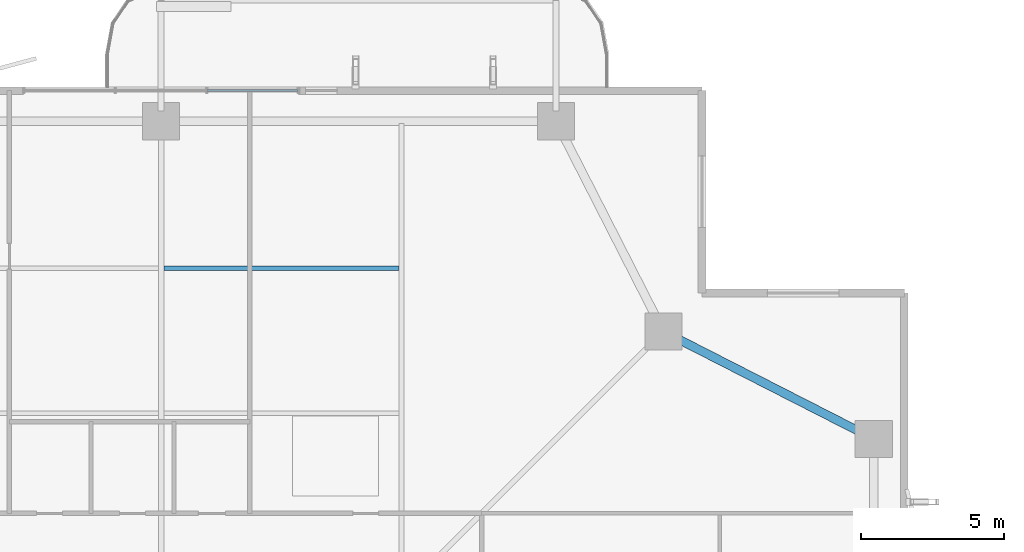
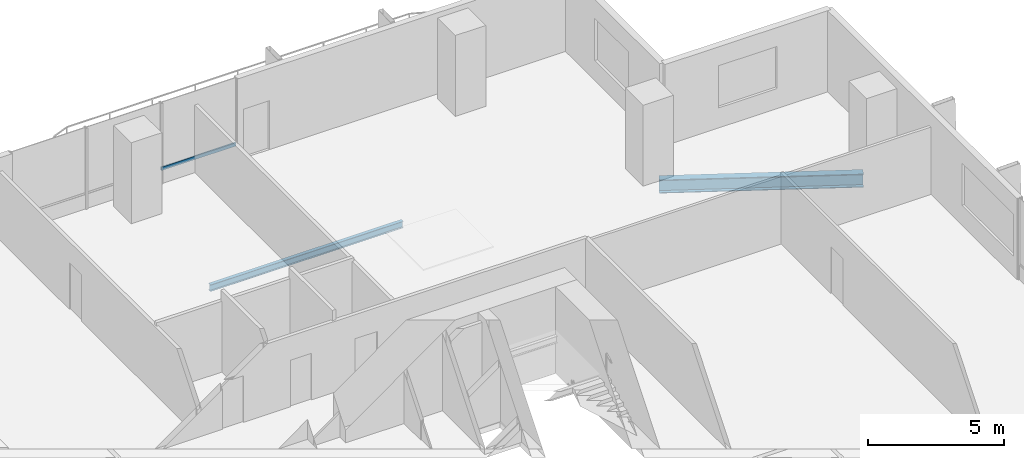
# One storey, part 14 of 23: 2 beams, 1 member, 1 element without a shape of its own.
"""IFC4 building model written with IfcOpenShell, lengths in metres."""

import ifcopenshell
import ifcopenshell.guid

model = None  # the IFC model being written
_history = None  # IfcOwnerHistory: only IFC2X3 demands one
_inside = {}  # id of a spatial element -> (the spatial element, [elements in it])
_under = {}  # id of a project, library or spatial element -> (it, [spatial elements below it])
_declared = {}  # id of a project -> (the project, [libraries it declares])
_typed = {}  # id of a type object -> (the type object, [elements of that type])
_made_of = {}  # id of a material, layer set ... -> (it, [elements and type objects made of it])


def new_model(schema):
    """Start an empty IFC model of exactly this schema.

    Asked for "IFC4X3", IfcOpenShell would pick the latest addendum, in which some entities
    have other attributes; the version numbers below select the first issue.
    IFC2X3 requires an IfcOwnerHistory on every rooted entity: one is made here for all.
    """
    global model, _history
    if schema == "IFC4X3":
        model = ifcopenshell.file(schema_version=(4, 3, 0, 0))
    else:
        model = ifcopenshell.file(schema=schema)
    _inside.clear()
    _under.clear()
    _declared.clear()
    _typed.clear()
    _made_of.clear()
    _history = None
    if model.schema == "IFC2X3":
        org = make("IfcOrganization", Name="unknown")
        user = make(
            "IfcPersonAndOrganization",
            ThePerson=make("IfcPerson", FamilyName="unknown"),
            TheOrganization=org,
        )
        app = make(
            "IfcApplication",
            ApplicationDeveloper=org,
            Version="unknown",
            ApplicationFullName="unknown",
            ApplicationIdentifier="unknown",
        )
        _history = make(
            "IfcOwnerHistory",
            OwningUser=user,
            OwningApplication=app,
            ChangeAction="ADDED",
            CreationDate=0,
        )
    return model


def make(cls, **values):
    """One entity of the class cls with the attributes given. An attribute that is None is left unset."""
    return model.create_entity(
        cls, **{name: value for name, value in values.items() if value is not None}
    )


def rooted(cls, **values):
    """An entity with a GlobalId (a new one), such as an element, a storey or a relation."""
    return make(cls, GlobalId=ifcopenshell.guid.new(), OwnerHistory=_history, **values)


def si_unit(unit_type, name, prefix=None):
    """IfcSIUnit, for example si_unit("LENGTHUNIT", "METRE", prefix="MILLI")."""
    return make("IfcSIUnit", UnitType=unit_type, Prefix=prefix, Name=name)


def assignment(units):
    """IfcUnitAssignment: the units of a project."""
    return None if units is None else make("IfcUnitAssignment", Units=units)


def point(xyz):
    """IfcCartesianPoint."""
    return None if xyz is None else make("IfcCartesianPoint", Coordinates=xyz)


def direction(xyz):
    """IfcDirection."""
    return None if xyz is None else make("IfcDirection", DirectionRatios=xyz)


def frame(location, z_axis=None, x_axis=None):
    """IfcAxis2Placement3D, a coordinate frame: its origin and axes. An axis left out is left unset."""
    return make(
        "IfcAxis2Placement3D",
        Location=point(location),
        Axis=direction(z_axis),
        RefDirection=direction(x_axis),
    )


def frame_2d(location, x_axis=None):
    """IfcAxis2Placement2D, a coordinate frame in the plane: its origin and x axis."""
    return make(
        "IfcAxis2Placement2D", Location=point(location), RefDirection=direction(x_axis)
    )


def origin():
    """The frame at (0, 0, 0) with its axes left unset."""
    return frame((0.0, 0.0, 0.0))


def origin_2d():
    """The frame at (0, 0) in the plane with its x axis left unset."""
    return frame_2d((0.0, 0.0))


def place(relative_to, where):
    """IfcLocalPlacement: puts the frame where relative to a parent placement (None: the world)."""
    return make(
        "IfcLocalPlacement", PlacementRelTo=relative_to, RelativePlacement=where
    )


def context(
    kind, dimensions, precision=None, world=None, true_north=None, identifier=None
):
    """IfcGeometricRepresentationContext, for example the 3D "Model" context."""
    return make(
        "IfcGeometricRepresentationContext",
        ContextIdentifier=identifier,
        ContextType=kind,
        CoordinateSpaceDimension=dimensions,
        Precision=precision,
        WorldCoordinateSystem=world,
        TrueNorth=true_north,
    )


def subcontext(parent, identifier, kind, view, scale=None):
    """IfcGeometricRepresentationSubContext, for example "Body" below "Model"."""
    return make(
        "IfcGeometricRepresentationSubContext",
        ContextIdentifier=identifier,
        ContextType=kind,
        ParentContext=parent,
        TargetScale=scale,
        TargetView=view,
    )


def project(units=None, contexts=None):
    """IfcProject with its units and contexts."""
    return rooted(
        "IfcProject",
        Name="project",
        RepresentationContexts=contexts,
        UnitsInContext=assignment(units),
    )


def spatial(cls, under=None, at=None, **own):
    """A site, building, storey or space (cls), placed at a placement, below another one or the project."""
    s = rooted(cls, ObjectPlacement=at, **own)
    if under is not None:
        _under.setdefault(under.id(), (under, []))[1].append(s)
    return s


def profile(cls, at=None, kind="AREA", **sizes):
    """A parametric profile (cls). Its sizes go by their IFC names, for example OverallWidth=200.0."""
    return make(cls, ProfileType=kind, Position=at, **sizes)


def hollow_rectangle(**sizes):
    """IfcRectangleHollowProfileDef."""
    return profile("IfcRectangleHollowProfileDef", **sizes)


def i_section(**sizes):
    """IfcIShapeProfileDef."""
    return profile("IfcIShapeProfileDef", **sizes)


def extrude(swept, where, along, depth):
    """IfcExtrudedAreaSolid: the profile swept, set in the frame where, extruded along a direction by depth."""
    return make(
        "IfcExtrudedAreaSolid",
        SweptArea=swept,
        Position=where,
        ExtrudedDirection=direction(along),
        Depth=depth,
    )


def shape(context_of_items, identifier, shape_type, items):
    """IfcShapeRepresentation: the items that make up one representation, for example the "Body"."""
    return make(
        "IfcShapeRepresentation",
        ContextOfItems=context_of_items,
        RepresentationIdentifier=identifier,
        RepresentationType=shape_type,
        Items=items,
    )


def material(Name=None, Category=None):
    """IfcMaterial."""
    return make("IfcMaterial", Name=Name, Category=Category)


def layer(
    of_material, thickness, ventilated=None, Name=None, Category=None, Priority=None
):
    """IfcMaterialLayer: one layer of a wall or slab, of a material (None: an air gap)."""
    return make(
        "IfcMaterialLayer",
        Material=of_material,
        LayerThickness=thickness,
        IsVentilated=ventilated,
        Name=Name,
        Category=Category,
        Priority=Priority,
    )


def layer_set(layers, Name=None):
    """IfcMaterialLayerSet."""
    return make("IfcMaterialLayerSet", MaterialLayers=layers, LayerSetName=Name)


def material_profile(
    of_material, cross_section, Name=None, Category=None, Priority=None
):
    """IfcMaterialProfile: a cross section and its material."""
    return make(
        "IfcMaterialProfile",
        Name=Name,
        Material=of_material,
        Profile=cross_section,
        Priority=Priority,
        Category=Category,
    )


def profile_set(profiles, Name=None, composite=None):
    """IfcMaterialProfileSet."""
    return make(
        "IfcMaterialProfileSet",
        Name=Name,
        MaterialProfiles=profiles,
        CompositeProfile=composite,
    )


def made_of(thing, what):
    """Note that an element or type object is made of a material, layer set ...; save() writes the relation."""
    if what is not None:
        _made_of.setdefault(what.id(), (what, []))[1].append(thing)
    return thing


def type_object(cls, material=None, **own):
    """A type object (cls), such as IfcWallType, which elements share."""
    return made_of(rooted(cls, **own), material)


def element(
    cls,
    number,
    at=None,
    inside=None,
    cuts=None,
    type_object=None,
    material=None,
    context=None,
    identifier="Body",
    shape_type=None,
    held_by="IfcProductDefinitionShape",
    body=None,
    shapes=None,
    **own,
):
    """One element of the class cls, such as IfcWall. Its Tag is "e" and its number.

    at: its placement. inside: the storey or other place that contains it. cuts: it is an
    opening in that element (IfcRelVoidsElement). A single representation is given by context,
    identifier, shape_type and body (its items); several are given by shapes. held_by: the class
    of the entity that holds the representations. save() writes the other relations.
    """
    e = rooted(cls, Tag="e%d" % number, ObjectPlacement=at, **own)
    if body is not None:
        shapes = [shape(context, identifier, shape_type, body)]
    if shapes is not None:
        e.Representation = make(held_by, Representations=shapes)
    if inside is not None:
        _inside.setdefault(inside.id(), (inside, []))[1].append(e)
    if cuts is not None:
        rooted(
            "IfcRelVoidsElement", RelatingBuildingElement=cuts, RelatedOpeningElement=e
        )
    if type_object is not None:
        _typed.setdefault(type_object.id(), (type_object, []))[1].append(e)
    return made_of(e, material)


def aggregate(whole, parts):
    """IfcRelAggregates: a whole, such as a stair, and the parts it consists of."""
    return rooted("IfcRelAggregates", RelatingObject=whole, RelatedObjects=parts)


def save(model, path):
    """Write the relations noted so far, then the file.

    IfcRelAggregates (storeys below a building ...), IfcRelContainedInSpatialStructure (elements
    in a storey), IfcRelDefinesByType, IfcRelAssociatesMaterial and IfcRelDeclares: one each for
    every whole, place, type object, material and project.
    """
    for whole, parts in _under.values():
        aggregate(whole, parts)
    for where, things in _inside.values():
        rooted(
            "IfcRelContainedInSpatialStructure",
            RelatedElements=things,
            RelatingStructure=where,
        )
    for kind, things in _typed.values():
        rooted("IfcRelDefinesByType", RelatedObjects=things, RelatingType=kind)
    for what, things in _made_of.values():
        rooted("IfcRelAssociatesMaterial", RelatedObjects=things, RelatingMaterial=what)
    for by, libraries in _declared.values():
        rooted("IfcRelDeclares", RelatingContext=by, RelatedDefinitions=libraries)
    model.write(path)


model = new_model("IFC4")

# Units and contexts
model_context = context("Model", 3, precision=1e-05, world=origin(), true_north=direction((0.0, 1.0)))
body_context = subcontext(model_context, "Body", "Model", "MODEL_VIEW")
ifc_project = project(units=[si_unit("LENGTHUNIT", "METRE"), si_unit("AREAUNIT", "SQUARE_METRE"), si_unit("VOLUMEUNIT", "CUBIC_METRE"), si_unit("PLANEANGLEUNIT", "RADIAN"), si_unit("MASSUNIT", "GRAM", prefix="KILO")], contexts=[model_context])

# Site, building, storey
site_placement = place(None, origin())
site = spatial("IfcSite", under=ifc_project, at=site_placement, CompositionType="ELEMENT")
building_placement = place(site_placement, origin())
building = spatial("IfcBuilding", under=site, at=building_placement, Name="Belovzor Exchange Tower", CompositionType="ELEMENT")
storey_placement = place(building_placement, frame((0.0, 0.0, 125.10009765625)))
storey = spatial("IfcBuildingStorey", under=building, at=storey_placement, Name="L30", CompositionType="ELEMENT", Elevation=125.10009765625)

# Beam
ifc_material_1 = material(Name="Steel S355", Category="steel")
ifc_material_profile_1 = material_profile(ifc_material_1, i_section(OverallWidth=0.14990234375, OverallDepth=0.300048828125, WebThickness=0.007080078125, FlangeThickness=0.0107421875, at=origin_2d()))
ifc_profile_set_1 = profile_set([ifc_material_profile_1], Name="Steel S355")
beam_type_1 = type_object("IfcBeamType", Name="Secondary Trim Floor Joist IPE 300", PredefinedType="BEAM", material=ifc_profile_set_1)
beam_1_placement = place(storey_placement, frame((28.89501953125, 48.56103515625, -0.400146484375), z_axis=(1.0, 0.0, 0.0), x_axis=(0.0, 1.0, 0.0)))
element("IfcBeam", 1, at=beam_1_placement, inside=storey, type_object=beam_type_1, Name="FJ-300 Secondary Trim Floor Joist IPE 300", PredefinedType="BEAM", context=body_context, shape_type="SweptSolid", body=[
    extrude(i_section(OverallWidth=0.14990234375, OverallDepth=0.300048828125, WebThickness=0.007080078125, FlangeThickness=0.0107421875, at=origin_2d()), origin(), (0.0, 0.0, 1.0), 8.2099609375),
])

# Curtain wall, member
ifc_material_2 = material(Name="Anodised Aluminium Framing", Category="aluminium")
ifc_layer = layer(ifc_material_2, 0.179931640625)
ifc_layer_set = layer_set([ifc_layer], Name="Anodised Aluminium Framing")
curtain_wall_type = type_object("IfcCurtainWallType", Name="Recessed Loggia Low-Iron Triple-Glazed Curtain Wall", PredefinedType="NOTDEFINED", material=ifc_layer_set)
curtain_wall_placement = place(storey_placement, origin())
curtain_wall = element("IfcCurtainWall", 2, at=curtain_wall_placement, inside=storey, type_object=curtain_wall_type, Name="CW3 Recessed Loggia Low-Iron Triple-Glazed Curtain Wall L30", PredefinedType="NOTDEFINED")
ifc_material_3 = material(Name="Steel S355", Category="steel")
ifc_material_profile_2 = material_profile(ifc_material_3, hollow_rectangle(XDim=0.06005859375, YDim=0.14990234375, WallThickness=0.00390625, at=origin_2d()))
ifc_profile_set_2 = profile_set([ifc_material_profile_2], Name="Steel S355")
member_type = type_object("IfcMemberType", Name="Thermally Broken Curtain Wall Transom 150x60", PredefinedType="USERDEFINED", material=ifc_profile_set_2)
member_placement = place(storey_placement, frame((30.407958984375, 54.77001953125, 0.64990234375), z_axis=(1.0, 0.0, 0.0), x_axis=(0.0, 1.0, 0.0)))
member = element("IfcMember", 3, at=member_placement, type_object=member_type, Name="CW-T150 Curtain Wall Transom 3", ObjectType="TRANSOM", PredefinedType="USERDEFINED", context=body_context, shape_type="SweptSolid", body=[
    extrude(hollow_rectangle(XDim=0.06005859375, YDim=0.14990234375, WallThickness=0.00390625, at=origin_2d()), origin(), (0.0, 0.0, 1.0), 3.18408203125),
])
aggregate(curtain_wall, [member])

# Beam
ifc_material_4 = material(Name="Steel S355", Category="steel")
ifc_material_profile_3 = material_profile(ifc_material_4, i_section(OverallWidth=0.300048828125, OverallDepth=0.60009765625, WebThickness=0.015380859375, FlangeThickness=0.030029296875, at=origin_2d()))
ifc_profile_set_3 = profile_set([ifc_material_profile_3], Name="Steel S355")
beam_type_2 = type_object("IfcBeamType", Name="Zone 2 Primary Perimeter Girder HEB 600", PredefinedType="BEAM", material=ifc_profile_set_3)
beam_2_placement = place(storey_placement, frame((53.382080078125, 42.761962890625, -0.550048828125), z_axis=(-0.890737249989, 0.454518593109, 0.0), x_axis=(-0.454518593109, -0.890737249989, 0.0)))
element("IfcBeam", 4, at=beam_2_placement, inside=storey, type_object=beam_type_2, Name="FG-Z2 Zone 2 Primary Perimeter Girder HEB 600", PredefinedType="BEAM", context=body_context, shape_type="SweptSolid", body=[
    extrude(i_section(OverallWidth=0.300048828125, OverallDepth=0.60009765625, WebThickness=0.015380859375, FlangeThickness=0.030029296875, at=origin_2d()), origin(), (0.0, 0.0, 1.0), 7.53759765625),
])

save(model, "model.ifc")
